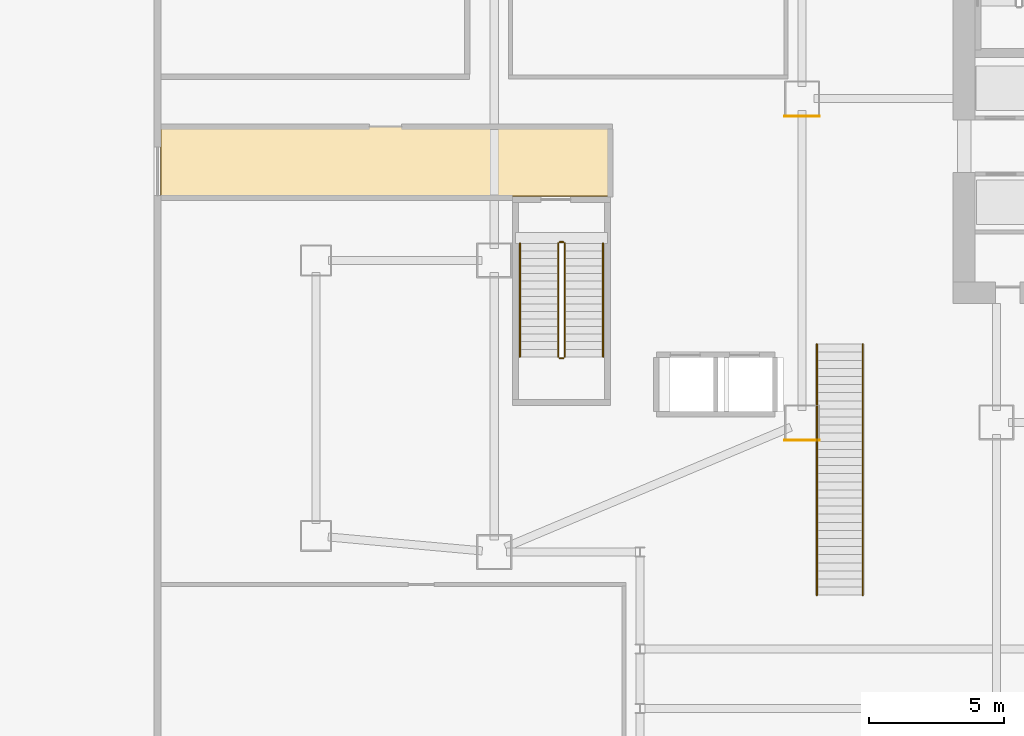
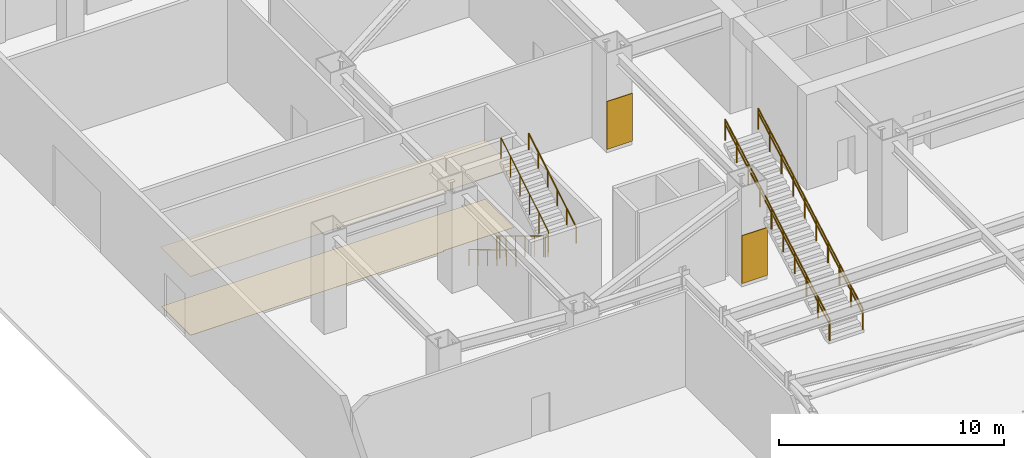
# One storey, part 15 of 20: 10 railings, 4 coverings.
"""IFC4 building model written with IfcOpenShell, lengths in metres."""

from ifc_helpers import new_model, si_unit, direction, frame, origin, origin_2d, place, context, subcontext, project, spatial, polyline, rectangle, circle, outline, extrude, material, layer, layer_set, type_object, element, save


model = new_model("IFC4")

# Units and contexts
model_context = context("Model", 3, precision=1e-05, world=origin(), true_north=direction((0.0, 1.0)))
body_context = subcontext(model_context, "Body", "Model", "MODEL_VIEW")
ifc_project = project(units=[si_unit("LENGTHUNIT", "METRE"), si_unit("AREAUNIT", "SQUARE_METRE"), si_unit("VOLUMEUNIT", "CUBIC_METRE"), si_unit("PLANEANGLEUNIT", "RADIAN"), si_unit("MASSUNIT", "GRAM", prefix="KILO")], contexts=[model_context])

# Site, building, storey
site_placement = place(None, origin())
site = spatial("IfcSite", under=ifc_project, at=site_placement, CompositionType="ELEMENT")
building_placement = place(site_placement, origin())
building = spatial("IfcBuilding", under=site, at=building_placement, Name="Haolan Belvedere Tower", CompositionType="ELEMENT")
storey_placement = place(building_placement, origin())
storey = spatial("IfcBuildingStorey", under=building, at=storey_placement, Name="L00", CompositionType="ELEMENT", Elevation=0.0)

# Coverings
ifc_material_1 = material(Name="Acoustic mineral-fibre suspended ceiling system", Category="masonry")
ifc_layer_1 = layer(ifc_material_1, 0.02490234375, Name="Acoustic mineral-fibre suspended ceiling system")
ifc_layer_set_1 = layer_set([ifc_layer_1], Name="Acoustic mineral-fibre suspended ceiling system")
covering_type_1 = type_object("IfcCoveringType", Name="COV-CEIL-AC25", PredefinedType="CEILING", material=ifc_layer_set_1)
covering_1_placement = place(storey_placement, frame((0.0, 0.0, 3.199951171875)))
element("IfcCovering", 1, at=covering_1_placement, inside=storey, type_object=covering_type_1, Name="L00 suspended acoustic ceiling L00-EXP-W.3", PredefinedType="CEILING", context=body_context, shape_type="SweptSolid", body=[
    extrude(outline(polyline([(16.912109375, 29.968017578125), (16.912109375, 32.56201171875), (0.238037109375, 32.56201171875), (0.238037109375, 29.907958984375), (13.2919921875, 29.907958984375), (13.2919921875, 29.968017578125), (16.912109375, 29.968017578125)])), origin(), (0.0, 0.0, 1.0), 0.025146484375),
])
ifc_material_2 = material(Name="Pale champagne-silver anodised aluminium rainscreen cladding", Category="aluminium")
ifc_layer_2 = layer(ifc_material_2, 0.034912109375, Name="Pale champagne-silver anodised aluminium rainscreen cladding")
ifc_layer_set_2 = layer_set([ifc_layer_2], Name="Pale champagne-silver anodised aluminium rainscreen cladding")
covering_type_2 = type_object("IfcCoveringType", Name="COV-CLAD-35", PredefinedType="CLADDING", material=ifc_layer_set_2)
for number, where, z_axis, x_axis, name in (
    (2, (24.0, 20.93505859375, 0.199951171875), (0.0, 0.0, 1.0), (1.0, 0.0, 0.0), "L00 pale-metal pier rainscreen cladding 1"),
    (3, (24.0, 32.93505859375, 0.199951171875), (0.0, 0.0, 1.0), (1.0, 0.0, 0.0), "L00 pale-metal pier rainscreen cladding 2"),
):
    element("IfcCovering", number, at=place(storey_placement, frame(where, z_axis=z_axis, x_axis=x_axis)), inside=storey, type_object=covering_type_2, Name=name, PredefinedType="CLADDING", context=body_context, shape_type="SweptSolid", body=[
        extrude(rectangle(XDim=1.300048828125, YDim=0.034912109375, at=origin_2d()), origin(), (0.0, 0.0, 1.0), 2.60009765625),
    ])
ifc_material_3 = material(Name="Honed terrazzo and natural granite stone flooring", Category="masonry")
ifc_layer_3 = layer(ifc_material_3, 0.014892578125, Name="Honed terrazzo and natural granite stone flooring")
ifc_layer_set_3 = layer_set([ifc_layer_3], Name="Honed terrazzo and natural granite stone flooring")
covering_type_3 = type_object("IfcCoveringType", Name="COV-FLR-STN30", PredefinedType="FLOORING", material=ifc_layer_set_3)
covering_2_placement = place(storey_placement, origin())
element("IfcCovering", 4, at=covering_2_placement, inside=storey, type_object=covering_type_3, Name="L00 polished stone floor finish L00-EXP-W.3", PredefinedType="FLOORING", context=body_context, shape_type="SweptSolid", body=[
    extrude(outline(polyline([(16.886962890625, 32.537109375), (0.262939453125, 32.537109375), (0.262939453125, 29.93310546875), (13.26708984375, 29.93310546875), (13.26708984375, 29.992919921875), (16.886962890625, 29.992919921875), (16.886962890625, 32.537109375)])), origin(), (0.0, 0.0, 1.0), 0.014892578125),
])

# Railings
ifc_material_4 = material(Name="Brushed stainless steel 304", Category="steel")
railing_type_1 = type_object("IfcRailingType", Name="RL-STAIR-GRD-1150", PredefinedType="GUARDRAIL", material=ifc_material_4)
railing_1_placement = place(storey_placement, frame((14.969970703125, 28.22998046875, 0.168701171875)))
element("IfcRailing", 5, at=railing_1_placement, inside=storey, type_object=railing_type_1, Name="L00 ST4 stair guard 1", PredefinedType="GUARDRAIL", context=body_context, shape_type="SweptSolid", body=[
    extrude(circle(Radius=0.02392578125, at=origin_2d()), frame((0.0, 0.0, 1.1259765625), z_axis=(0.0, -0.856476492594, 0.516186030065), x_axis=(1.0, 0.0, 0.0)), (0.0, 0.0, 1.0), 4.90380859375),
    extrude(circle(Radius=0.02099609375, at=origin_2d()), origin(), (0.0, 0.0, 1.0), 1.101806640625),
    extrude(circle(Radius=0.02099609375, at=origin_2d()), frame((0.0, -0.840087890625, 0.50634765625)), (0.0, 0.0, 1.0), 1.101806640625),
    extrude(circle(Radius=0.02099609375, at=origin_2d()), frame((0.0, -1.679931640625, 1.012451171875)), (0.0, 0.0, 1.0), 1.101806640625),
    extrude(circle(Radius=0.02099609375, at=origin_2d()), frame((0.0, -2.52001953125, 1.518798828125)), (0.0, 0.0, 1.0), 1.101806640625),
    extrude(circle(Radius=0.02099609375, at=origin_2d()), frame((0.0, -3.35986328125, 2.02490234375)), (0.0, 0.0, 1.0), 1.101806640625),
    extrude(circle(Radius=0.02099609375, at=origin_2d()), frame((0.0, -4.199951171875, 2.53125)), (0.0, 0.0, 1.0), 1.101806640625),
])
railing_2_placement = place(storey_placement, frame((15.02001953125, 23.97998046875, 2.699951171875)))
element("IfcRailing", 6, at=railing_2_placement, inside=storey, type_object=railing_type_1, Name="L00 ST4 stair guard 2", PredefinedType="GUARDRAIL", context=body_context, shape_type="SweptSolid", body=[
    extrude(circle(Radius=0.02392578125, at=origin_2d()), frame((0.0, 0.0, 1.1259765625), z_axis=(1.0, 0.0, 0.0), x_axis=(0.0, 1.0, 0.0)), (0.0, 0.0, 1.0), 0.139892578125),
    extrude(circle(Radius=0.02099609375, at=origin_2d()), origin(), (0.0, 0.0, 1.0), 1.101806640625),
    extrude(circle(Radius=0.02099609375, at=origin_2d()), frame((0.139892578125, 0.0, 0.0)), (0.0, 0.0, 1.0), 1.101806640625),
])
railing_3_placement = place(storey_placement, frame((15.2099609375, 24.030029296875, 2.86865234375)))
element("IfcRailing", 7, at=railing_3_placement, inside=storey, type_object=railing_type_1, Name="L00 ST4 stair guard 3", PredefinedType="GUARDRAIL", context=body_context, shape_type="SweptSolid", body=[
    extrude(circle(Radius=0.02392578125, at=origin_2d()), frame((0.0, 0.0, 1.1259765625), z_axis=(0.0, 0.856476492594, 0.516186030065), x_axis=(-1.0, 0.0, 0.0)), (0.0, 0.0, 1.0), 4.90380859375),
    extrude(circle(Radius=0.02099609375, at=origin_2d()), origin(), (0.0, 0.0, 1.0), 1.101806640625),
    extrude(circle(Radius=0.02099609375, at=origin_2d()), frame((0.0, 0.840087890625, 0.50634765625)), (0.0, 0.0, 1.0), 1.101806640625),
    extrude(circle(Radius=0.02099609375, at=origin_2d()), frame((0.0, 1.679931640625, 1.012451171875)), (0.0, 0.0, 1.0), 1.101806640625),
    extrude(circle(Radius=0.02099609375, at=origin_2d()), frame((0.0, 2.52001953125, 1.518798828125)), (0.0, 0.0, 1.0), 1.101806640625),
    extrude(circle(Radius=0.02099609375, at=origin_2d()), frame((0.0, 3.35986328125, 2.02490234375)), (0.0, 0.0, 1.0), 1.101806640625),
    extrude(circle(Radius=0.02099609375, at=origin_2d()), frame((0.0, 4.199951171875, 2.53125)), (0.0, 0.0, 1.0), 1.101806640625),
])
railing_4_placement = place(storey_placement, frame((15.02001953125, 28.280029296875, 0.0)))
element("IfcRailing", 8, at=railing_4_placement, inside=storey, type_object=railing_type_1, Name="L00 ST4 stair guard 4", PredefinedType="GUARDRAIL", context=body_context, shape_type="SweptSolid", body=[
    extrude(circle(Radius=0.02392578125, at=origin_2d()), frame((0.0, 0.0, 1.1259765625), z_axis=(1.0, 0.0, 0.0), x_axis=(0.0, 1.0, 0.0)), (0.0, 0.0, 1.0), 0.139892578125),
    extrude(circle(Radius=0.02099609375, at=origin_2d()), origin(), (0.0, 0.0, 1.0), 1.101806640625),
    extrude(circle(Radius=0.02099609375, at=origin_2d()), frame((0.139892578125, 0.0, 0.0)), (0.0, 0.0, 1.0), 1.101806640625),
])
for number, where, name in (
    (9, (24.550048828125, 15.199951171875, 0.168701171875), "L00 ST6 flight guard 1"),
    (10, (26.25, 15.199951171875, 0.168701171875), "L00 ST6 flight guard 2"),
):
    element("IfcRailing", number, at=place(storey_placement, frame(where)), inside=storey, type_object=railing_type_1, Name=name, PredefinedType="GUARDRAIL", context=body_context, shape_type="SweptSolid", body=[
        extrude(circle(Radius=0.02392578125, at=origin_2d()), frame((0.0, 0.0, 1.1259765625), z_axis=(0.0, 0.871578592338, 0.490255808102), x_axis=(-1.0, 0.0, 0.0)), (0.0, 0.0, 1.0), 10.67041015625),
        extrude(circle(Radius=0.02099609375, at=origin_2d()), origin(), (0.0, 0.0, 1.0), 1.101806640625),
        extrude(circle(Radius=0.02099609375, at=origin_2d()), frame((0.0, 1.033447265625, 0.581298828125)), (0.0, 0.0, 1.0), 1.101806640625),
        extrude(circle(Radius=0.02099609375, at=origin_2d()), frame((0.0, 2.066650390625, 1.16259765625)), (0.0, 0.0, 1.0), 1.101806640625),
        extrude(circle(Radius=0.02099609375, at=origin_2d()), frame((0.0, 3.10009765625, 1.74365234375)), (0.0, 0.0, 1.0), 1.101806640625),
        extrude(circle(Radius=0.02099609375, at=origin_2d()), frame((0.0, 4.13330078125, 2.324951171875)), (0.0, 0.0, 1.0), 1.101806640625),
        extrude(circle(Radius=0.02099609375, at=origin_2d()), frame((0.0, 5.166748046875, 2.90625)), (0.0, 0.0, 1.0), 1.101806640625),
        extrude(circle(Radius=0.02099609375, at=origin_2d()), frame((0.0, 6.199951171875, 3.487548828125)), (0.0, 0.0, 1.0), 1.101806640625),
        extrude(circle(Radius=0.02099609375, at=origin_2d()), frame((0.0, 7.2333984375, 4.068603515625)), (0.0, 0.0, 1.0), 1.101806640625),
        extrude(circle(Radius=0.02099609375, at=origin_2d()), frame((0.0, 8.2666015625, 4.64990234375)), (0.0, 0.0, 1.0), 1.101806640625),
        extrude(circle(Radius=0.02099609375, at=origin_2d()), frame((0.0, 9.300048828125, 5.231201171875)), (0.0, 0.0, 1.0), 1.101806640625),
    ])
railing_type_2 = type_object("IfcRailingType", Name="RL-STAIR-HND-900", PredefinedType="HANDRAIL", material=ifc_material_4)
railing_5_placement = place(storey_placement, frame((13.550048828125, 28.22998046875, 0.168701171875)))
element("IfcRailing", 11, at=railing_5_placement, inside=storey, type_object=railing_type_2, Name="L00 ST4 stair handrail 1", PredefinedType="HANDRAIL", context=body_context, shape_type="SweptSolid", body=[
    extrude(circle(Radius=0.02392578125, at=origin_2d()), frame((0.0, 0.0, 0.8759765625), z_axis=(0.0, -0.856476492594, 0.516186030065), x_axis=(1.0, 0.0, 0.0)), (0.0, 0.0, 1.0), 4.90380859375),
    extrude(circle(Radius=0.02099609375, at=origin_2d()), origin(), (0.0, 0.0, 1.0), 0.851806640625),
    extrude(circle(Radius=0.02099609375, at=origin_2d()), frame((0.0, -0.840087890625, 0.50634765625)), (0.0, 0.0, 1.0), 0.851806640625),
    extrude(circle(Radius=0.02099609375, at=origin_2d()), frame((0.0, -1.679931640625, 1.012451171875)), (0.0, 0.0, 1.0), 0.851806640625),
    extrude(circle(Radius=0.02099609375, at=origin_2d()), frame((0.0, -2.52001953125, 1.518798828125)), (0.0, 0.0, 1.0), 0.851806640625),
    extrude(circle(Radius=0.02099609375, at=origin_2d()), frame((0.0, -3.35986328125, 2.02490234375)), (0.0, 0.0, 1.0), 0.851806640625),
    extrude(circle(Radius=0.02099609375, at=origin_2d()), frame((0.0, -4.199951171875, 2.53125)), (0.0, 0.0, 1.0), 0.851806640625),
])
railing_6_placement = place(storey_placement, frame((16.6298828125, 24.030029296875, 2.86865234375)))
element("IfcRailing", 12, at=railing_6_placement, inside=storey, type_object=railing_type_2, Name="L00 ST4 stair handrail 2", PredefinedType="HANDRAIL", context=body_context, shape_type="SweptSolid", body=[
    extrude(circle(Radius=0.02392578125, at=origin_2d()), frame((0.0, 0.0, 0.8759765625), z_axis=(0.0, 0.856476492594, 0.516186030065), x_axis=(-1.0, 0.0, 0.0)), (0.0, 0.0, 1.0), 4.90380859375),
    extrude(circle(Radius=0.02099609375, at=origin_2d()), origin(), (0.0, 0.0, 1.0), 0.851806640625),
    extrude(circle(Radius=0.02099609375, at=origin_2d()), frame((0.0, 0.840087890625, 0.50634765625)), (0.0, 0.0, 1.0), 0.851806640625),
    extrude(circle(Radius=0.02099609375, at=origin_2d()), frame((0.0, 1.679931640625, 1.012451171875)), (0.0, 0.0, 1.0), 0.851806640625),
    extrude(circle(Radius=0.02099609375, at=origin_2d()), frame((0.0, 2.52001953125, 1.518798828125)), (0.0, 0.0, 1.0), 0.851806640625),
    extrude(circle(Radius=0.02099609375, at=origin_2d()), frame((0.0, 3.35986328125, 2.02490234375)), (0.0, 0.0, 1.0), 0.851806640625),
    extrude(circle(Radius=0.02099609375, at=origin_2d()), frame((0.0, 4.199951171875, 2.53125)), (0.0, 0.0, 1.0), 0.851806640625),
])
for number, where, name in (
    (13, (24.550048828125, 15.239990234375, 0.168701171875), "L00 ST6 handrail 1"),
    (14, (26.25, 15.239990234375, 0.168701171875), "L00 ST6 handrail 2"),
):
    element("IfcRailing", number, at=place(storey_placement, frame(where)), inside=storey, type_object=railing_type_2, Name=name, PredefinedType="HANDRAIL", context=body_context, shape_type="SweptSolid", body=[
        extrude(circle(Radius=0.02392578125, at=origin_2d()), frame((0.0, 0.0, 0.8759765625), z_axis=(0.0, 0.870672266037, 0.491863604218), x_axis=(-1.0, 0.0, 0.0)), (0.0, 0.0, 1.0), 10.635498046875),
        extrude(circle(Radius=0.02099609375, at=origin_2d()), origin(), (0.0, 0.0, 1.0), 0.851806640625),
        extrude(circle(Radius=0.02099609375, at=origin_2d()), frame((0.0, 1.02880859375, 0.581298828125)), (0.0, 0.0, 1.0), 0.851806640625),
        extrude(circle(Radius=0.02099609375, at=origin_2d()), frame((0.0, 2.057861328125, 1.16259765625)), (0.0, 0.0, 1.0), 0.851806640625),
        extrude(circle(Radius=0.02099609375, at=origin_2d()), frame((0.0, 3.086669921875, 1.74365234375)), (0.0, 0.0, 1.0), 0.851806640625),
        extrude(circle(Radius=0.02099609375, at=origin_2d()), frame((0.0, 4.115478515625, 2.324951171875)), (0.0, 0.0, 1.0), 0.851806640625),
        extrude(circle(Radius=0.02099609375, at=origin_2d()), frame((0.0, 5.14453125, 2.90625)), (0.0, 0.0, 1.0), 0.851806640625),
        extrude(circle(Radius=0.02099609375, at=origin_2d()), frame((0.0, 6.17333984375, 3.487548828125)), (0.0, 0.0, 1.0), 0.851806640625),
        extrude(circle(Radius=0.02099609375, at=origin_2d()), frame((0.0, 7.2021484375, 4.068603515625)), (0.0, 0.0, 1.0), 0.851806640625),
        extrude(circle(Radius=0.02099609375, at=origin_2d()), frame((0.0, 8.231201171875, 4.64990234375)), (0.0, 0.0, 1.0), 0.851806640625),
        extrude(circle(Radius=0.02099609375, at=origin_2d()), frame((0.0, 9.260009765625, 5.231201171875)), (0.0, 0.0, 1.0), 0.851806640625),
    ])

save(model, "model.ifc")
